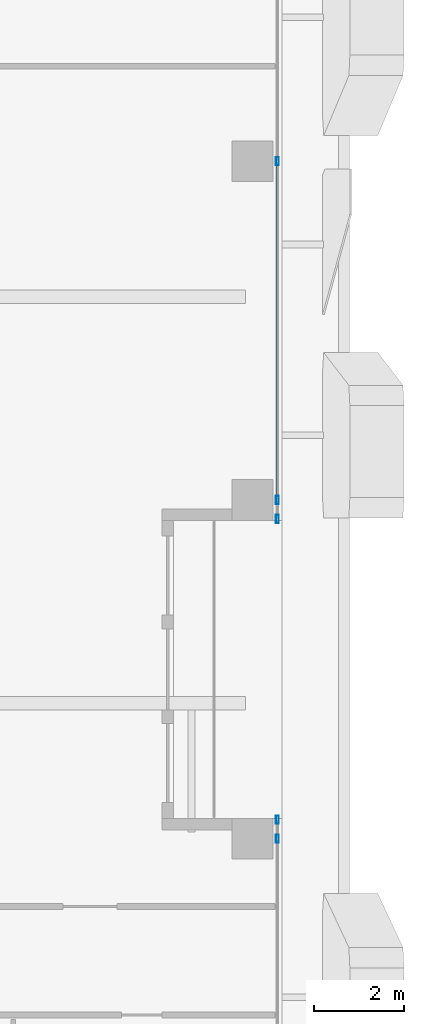
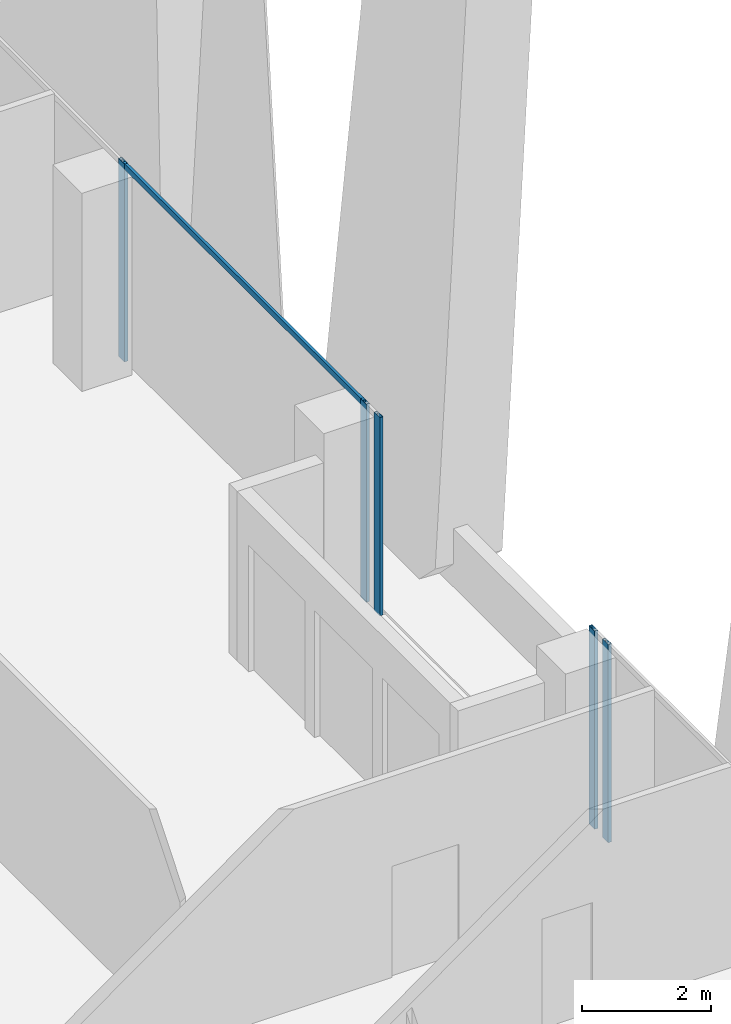
# One storey, part 13 of 33: 6 members, 2 elements without a shape of their own.
"""IFC4 building model written with IfcOpenShell, lengths in metres."""

from ifc_helpers import new_model, si_unit, direction, frame, origin, origin_2d, place, context, subcontext, project, spatial, hollow_rectangle, extrude, source, transform, mapped, material, material_profile, profile_set, type_object, element, aggregate, save


model = new_model("IFC4")

# Units and contexts
model_context = context("Model", 3, precision=1e-05, world=origin(), true_north=direction((0.0, 1.0)))
body_context = subcontext(model_context, "Body", "Model", "MODEL_VIEW")
ifc_project = project(units=[si_unit("LENGTHUNIT", "METRE"), si_unit("AREAUNIT", "SQUARE_METRE"), si_unit("VOLUMEUNIT", "CUBIC_METRE"), si_unit("PLANEANGLEUNIT", "RADIAN"), si_unit("MASSUNIT", "GRAM", prefix="KILO")], contexts=[model_context])

# Site, building, storey
site_placement = place(None, origin())
site = spatial("IfcSite", under=ifc_project, at=site_placement, CompositionType="ELEMENT")
building_placement = place(site_placement, origin())
building = spatial("IfcBuilding", under=site, at=building_placement, Name="Khomas Fold Tower", CompositionType="ELEMENT")
storey_placement = place(building_placement, frame((0.0, 0.0, 222.199951171875)))
storey = spatial("IfcBuildingStorey", under=building, at=storey_placement, Name="L49", CompositionType="ELEMENT", Elevation=222.199951171875)

# Curtain wall, members
ifc_material_1 = material(Name="Aluminium framed double glazing", Category="aluminium")
curtain_wall_type = type_object("IfcCurtainWallType", Name="SK-Unitised clear-glass wall, office floors CW2", PredefinedType="NOTDEFINED", material=ifc_material_1)
curtain_wall_1_placement = place(storey_placement, origin())
curtain_wall_1 = element("IfcCurtainWall", 1, at=curtain_wall_1_placement, inside=storey, type_object=curtain_wall_type, Name="CW2 run L49 03-0", PredefinedType="NOTDEFINED")
ifc_material_2 = material(Name="Aluminium", Category="aluminium")
ifc_material_profile_1 = material_profile(ifc_material_2, hollow_rectangle(XDim=0.06005859375, YDim=0.179931640625, WallThickness=0.00390625, at=origin_2d()), Name="SK-Unitised clear-glass wall, office floors mullion CW2-M")
ifc_profile_set_1 = profile_set([ifc_material_profile_1], Name="Aluminium")
member_type_1 = type_object("IfcMemberType", Name="SK-Unitised clear-glass wall, office floors mullion CW2-M", PredefinedType="MULLION", material=ifc_profile_set_1)
shared_shape_1 = source(origin(), body_context, "Body", "SweptSolid", [
    extrude(hollow_rectangle(XDim=0.06005859375, YDim=0.179931640625, WallThickness=0.00390625, at=origin_2d()), origin(), (0.0, 0.0, 1.0), 3.75),
])
member_1_placement = place(storey_placement, frame((49.39990234375, 19.5, 0.0), z_axis=(0.0, 0.0, 1.0), x_axis=(-1.0, 0.0, 0.0)))
member_1 = element("IfcMember", 2, at=member_1_placement, type_object=member_type_1, Name="CW2 mullion 3", PredefinedType="MULLION", context=body_context, shape_type="MappedRepresentation", body=[
    mapped(shared_shape_1, transform((0.0, 0.0, 0.0))),
])
member_2_placement = place(storey_placement, frame((49.39990234375, 19.919921875, 0.0), z_axis=(0.0, 0.0, 1.0), x_axis=(-1.0, 0.0, 0.0)))
member_2 = element("IfcMember", 3, at=member_2_placement, type_object=member_type_1, Name="CW2 mullion 4", PredefinedType="MULLION", context=body_context, shape_type="MappedRepresentation", body=[
    mapped(shared_shape_1, transform((0.0, 0.0, 0.0))),
])
aggregate(curtain_wall_1, [member_1, member_2])

curtain_wall_2_placement = place(storey_placement, origin())
curtain_wall_2 = element("IfcCurtainWall", 4, at=curtain_wall_2_placement, inside=storey, type_object=curtain_wall_type, Name="CW2 run L49 03-1", PredefinedType="NOTDEFINED")
member_3_placement = place(storey_placement, frame((49.39990234375, 26.580078125, 0.0), z_axis=(0.0, 0.0, 1.0), x_axis=(-1.0, 0.0, 0.0)))
member_3 = element("IfcMember", 5, at=member_3_placement, type_object=member_type_1, Name="CW2 mullion 1", PredefinedType="MULLION", context=body_context, shape_type="MappedRepresentation", body=[
    mapped(shared_shape_1, transform((0.0, 0.0, 0.0))),
])
member_4_placement = place(storey_placement, frame((49.39990234375, 27.0, 0.0), z_axis=(0.0, 0.0, 1.0), x_axis=(-1.0, 0.0, 0.0)))
member_4 = element("IfcMember", 6, at=member_4_placement, type_object=member_type_1, Name="CW2 mullion 2", PredefinedType="MULLION", context=body_context, shape_type="MappedRepresentation", body=[
    mapped(shared_shape_1, transform((0.0, 0.0, 0.0))),
])
member_5_placement = place(storey_placement, frame((49.39990234375, 34.5, 0.0), z_axis=(0.0, 0.0, 1.0), x_axis=(-1.0, 0.0, 0.0)))
member_5 = element("IfcMember", 7, at=member_5_placement, type_object=member_type_1, Name="CW2 mullion 3", PredefinedType="MULLION", context=body_context, shape_type="MappedRepresentation", body=[
    mapped(shared_shape_1, transform((0.0, 0.0, 0.0))),
])
ifc_material_3 = material(Name="Aluminium", Category="aluminium")
ifc_material_profile_2 = material_profile(ifc_material_3, hollow_rectangle(XDim=0.050048828125, YDim=0.110107421875, WallThickness=0.00390625, at=origin_2d()), Name="SK-Unitised clear-glass wall, office floors transom CW2-T")
ifc_profile_set_2 = profile_set([ifc_material_profile_2], Name="Aluminium")
member_type_2 = type_object("IfcMemberType", Name="SK-Unitised clear-glass wall, office floors transom CW2-T", PredefinedType="USERDEFINED", material=ifc_profile_set_2)
shared_shape_2 = source(origin(), body_context, "Body", "SweptSolid", [
    extrude(hollow_rectangle(XDim=0.050048828125, YDim=0.110107421875, WallThickness=0.00390625, at=origin_2d()), origin(), (0.0, 0.0, 1.0), 7.43994140625),
])
member_6_placement = place(storey_placement, frame((49.39990234375, 27.030029296875, 3.695068359375), z_axis=(0.0, 1.0, 0.0), x_axis=(-1.0, 0.0, 0.0)))
member_6 = element("IfcMember", 8, at=member_6_placement, type_object=member_type_2, Name="CW2 transom 2", ObjectType="TRANSOM", PredefinedType="USERDEFINED", context=body_context, shape_type="MappedRepresentation", body=[
    mapped(shared_shape_2, transform((0.0, 0.0, 0.0))),
])
aggregate(curtain_wall_2, [member_3, member_4, member_5, member_6])

save(model, "model.ifc")
